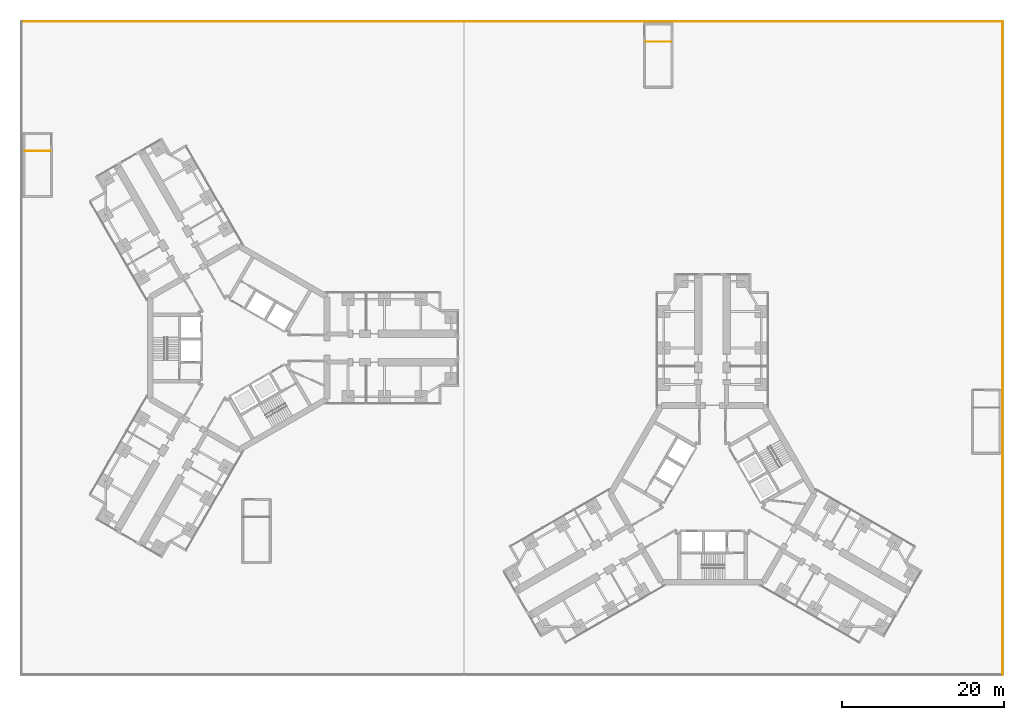
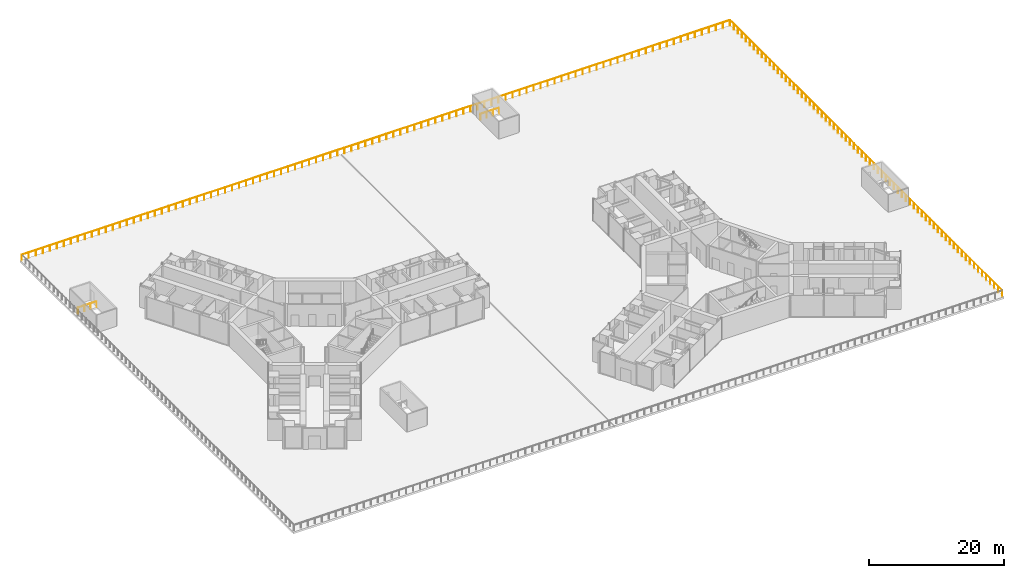
# One storey, part 22 of 23: 4 railings.
"""IFC4 building model written with IfcOpenShell, lengths in metres."""

from ifc_helpers import new_model, si_unit, direction, frame, origin, origin_2d, place, context, subcontext, project, spatial, circle, extrude, material, type_object, element, save


model = new_model("IFC4")

# Units and contexts
model_context = context("Model", 3, precision=1e-05, world=origin(), true_north=direction((0.0, 1.0)))
body_context = subcontext(model_context, "Body", "Model", "MODEL_VIEW")
ifc_project = project(units=[si_unit("LENGTHUNIT", "METRE"), si_unit("AREAUNIT", "SQUARE_METRE"), si_unit("VOLUMEUNIT", "CUBIC_METRE"), si_unit("PLANEANGLEUNIT", "RADIAN"), si_unit("MASSUNIT", "GRAM", prefix="KILO")], contexts=[model_context])

# Site, building, storey
site_placement = place(None, origin())
site = spatial("IfcSite", under=ifc_project, at=site_placement, CompositionType="ELEMENT")
building_placement = place(site_placement, origin())
building = spatial("IfcBuilding", under=site, at=building_placement, Name="Upepo Twin Towers", CompositionType="ELEMENT")
storey_placement = place(building_placement, frame((0.0, 0.0, 20.5)))
storey = spatial("IfcBuildingStorey", under=building, at=storey_placement, Name="L04", CompositionType="ELEMENT", Elevation=20.5)

# Railings
ifc_material_1 = material(Name="Stainless steel and glass", Category="steel")
railing_type_1 = type_object("IfcRailingType", Name="Guard 1100", PredefinedType="GUARDRAIL", material=ifc_material_1)
for number, where, name in (
    (1, (-26.39990234375, 24.320068359375, 0.0), "PS1 head-house well guard"),
    (2, (50.199951171875, 37.820068359375, 0.0), "PS4 head-house well guard"),
):
    element("IfcRailing", number, at=place(storey_placement, frame(where)), inside=storey, type_object=railing_type_1, Name=name, PredefinedType="GUARDRAIL", context=body_context, shape_type="SweptSolid", body=[
        extrude(circle(Radius=0.02392578125, at=origin_2d()), frame((0.0, 0.0, 1.076171875), z_axis=(1.0, 0.0, 0.0), x_axis=(0.0, 1.0, 0.0)), (0.0, 0.0, 1.0), 3.199951171875),
        extrude(circle(Radius=0.02099609375, at=origin_2d()), origin(), (0.0, 0.0, 1.0), 1.052001953125),
        extrude(circle(Radius=0.02099609375, at=origin_2d()), frame((1.066650390625, 0.0, 0.0)), (0.0, 0.0, 1.0), 1.052001953125),
        extrude(circle(Radius=0.02099609375, at=origin_2d()), frame((2.13330078125, 0.0, 0.0)), (0.0, 0.0, 1.0), 1.052001953125),
        extrude(circle(Radius=0.02099609375, at=origin_2d()), frame((3.199951171875, 0.0, 0.0)), (0.0, 0.0, 1.0), 1.052001953125),
    ])
ifc_material_2 = material(Name="Stainless steel and laminated glass", Category="steel")
railing_type_2 = type_object("IfcRailingType", Name="Terrace guard 1100 glass", PredefinedType="GUARDRAIL", material=ifc_material_2)
railing_1_placement = place(storey_placement, frame((94.300048828125, -40.300048828125, 0.0)))
element("IfcRailing", 3, at=railing_1_placement, inside=storey, type_object=railing_type_2, Name="Podium roof guard E", PredefinedType="GUARDRAIL", context=body_context, shape_type="SweptSolid", body=[
    extrude(circle(Radius=0.02392578125, at=origin_2d()), frame((0.0, 0.0, 1.076171875), z_axis=(0.0, 1.0, 0.0), x_axis=(-1.0, 0.0, 0.0)), (0.0, 0.0, 1.0), 80.60009765625),
    extrude(circle(Radius=0.02099609375, at=origin_2d()), origin(), (0.0, 0.0, 1.0), 1.052001953125),
    extrude(circle(Radius=0.02099609375, at=origin_2d()), frame((0.0, 1.185302734375, 0.0)), (0.0, 0.0, 1.0), 1.052001953125),
    extrude(circle(Radius=0.02099609375, at=origin_2d()), frame((0.0, 2.37060546875, 0.0)), (0.0, 0.0, 1.0), 1.052001953125),
    extrude(circle(Radius=0.02099609375, at=origin_2d()), frame((0.0, 3.555908203125, 0.0)), (0.0, 0.0, 1.0), 1.052001953125),
    extrude(circle(Radius=0.02099609375, at=origin_2d()), frame((0.0, 4.7412109375, 0.0)), (0.0, 0.0, 1.0), 1.052001953125),
    extrude(circle(Radius=0.02099609375, at=origin_2d()), frame((0.0, 5.926513671875, 0.0)), (0.0, 0.0, 1.0), 1.052001953125),
    extrude(circle(Radius=0.02099609375, at=origin_2d()), frame((0.0, 7.11181640625, 0.0)), (0.0, 0.0, 1.0), 1.052001953125),
    extrude(circle(Radius=0.02099609375, at=origin_2d()), frame((0.0, 8.297119140625, 0.0)), (0.0, 0.0, 1.0), 1.052001953125),
    extrude(circle(Radius=0.02099609375, at=origin_2d()), frame((0.0, 9.482421875, 0.0)), (0.0, 0.0, 1.0), 1.052001953125),
    extrude(circle(Radius=0.02099609375, at=origin_2d()), frame((0.0, 10.667724609375, 0.0)), (0.0, 0.0, 1.0), 1.052001953125),
    extrude(circle(Radius=0.02099609375, at=origin_2d()), frame((0.0, 11.85302734375, 0.0)), (0.0, 0.0, 1.0), 1.052001953125),
    extrude(circle(Radius=0.02099609375, at=origin_2d()), frame((0.0, 13.038330078125, 0.0)), (0.0, 0.0, 1.0), 1.052001953125),
    extrude(circle(Radius=0.02099609375, at=origin_2d()), frame((0.0, 14.2236328125, 0.0)), (0.0, 0.0, 1.0), 1.052001953125),
    extrude(circle(Radius=0.02099609375, at=origin_2d()), frame((0.0, 15.408935546875, 0.0)), (0.0, 0.0, 1.0), 1.052001953125),
    extrude(circle(Radius=0.02099609375, at=origin_2d()), frame((0.0, 16.59423828125, 0.0)), (0.0, 0.0, 1.0), 1.052001953125),
    extrude(circle(Radius=0.02099609375, at=origin_2d()), frame((0.0, 17.779541015625, 0.0)), (0.0, 0.0, 1.0), 1.052001953125),
    extrude(circle(Radius=0.02099609375, at=origin_2d()), frame((0.0, 18.96484375, 0.0)), (0.0, 0.0, 1.0), 1.052001953125),
    extrude(circle(Radius=0.02099609375, at=origin_2d()), frame((0.0, 20.14990234375, 0.0)), (0.0, 0.0, 1.0), 1.052001953125),
    extrude(circle(Radius=0.02099609375, at=origin_2d()), frame((0.0, 21.335205078125, 0.0)), (0.0, 0.0, 1.0), 1.052001953125),
    extrude(circle(Radius=0.02099609375, at=origin_2d()), frame((0.0, 22.5205078125, 0.0)), (0.0, 0.0, 1.0), 1.052001953125),
    extrude(circle(Radius=0.02099609375, at=origin_2d()), frame((0.0, 23.705810546875, 0.0)), (0.0, 0.0, 1.0), 1.052001953125),
    extrude(circle(Radius=0.02099609375, at=origin_2d()), frame((0.0, 24.89111328125, 0.0)), (0.0, 0.0, 1.0), 1.052001953125),
    extrude(circle(Radius=0.02099609375, at=origin_2d()), frame((0.0, 26.076416015625, 0.0)), (0.0, 0.0, 1.0), 1.052001953125),
    extrude(circle(Radius=0.02099609375, at=origin_2d()), frame((0.0, 27.26171875, 0.0)), (0.0, 0.0, 1.0), 1.052001953125),
    extrude(circle(Radius=0.02099609375, at=origin_2d()), frame((0.0, 28.447021484375, 0.0)), (0.0, 0.0, 1.0), 1.052001953125),
    extrude(circle(Radius=0.02099609375, at=origin_2d()), frame((0.0, 29.63232421875, 0.0)), (0.0, 0.0, 1.0), 1.052001953125),
    extrude(circle(Radius=0.02099609375, at=origin_2d()), frame((0.0, 30.817626953125, 0.0)), (0.0, 0.0, 1.0), 1.052001953125),
    extrude(circle(Radius=0.02099609375, at=origin_2d()), frame((0.0, 32.0029296875, 0.0)), (0.0, 0.0, 1.0), 1.052001953125),
    extrude(circle(Radius=0.02099609375, at=origin_2d()), frame((0.0, 33.188232421875, 0.0)), (0.0, 0.0, 1.0), 1.052001953125),
    extrude(circle(Radius=0.02099609375, at=origin_2d()), frame((0.0, 34.37353515625, 0.0)), (0.0, 0.0, 1.0), 1.052001953125),
    extrude(circle(Radius=0.02099609375, at=origin_2d()), frame((0.0, 35.558837890625, 0.0)), (0.0, 0.0, 1.0), 1.052001953125),
    extrude(circle(Radius=0.02099609375, at=origin_2d()), frame((0.0, 36.744140625, 0.0)), (0.0, 0.0, 1.0), 1.052001953125),
    extrude(circle(Radius=0.02099609375, at=origin_2d()), frame((0.0, 37.929443359375, 0.0)), (0.0, 0.0, 1.0), 1.052001953125),
    extrude(circle(Radius=0.02099609375, at=origin_2d()), frame((0.0, 39.11474609375, 0.0)), (0.0, 0.0, 1.0), 1.052001953125),
    extrude(circle(Radius=0.02099609375, at=origin_2d()), frame((0.0, 40.300048828125, 0.0)), (0.0, 0.0, 1.0), 1.052001953125),
    extrude(circle(Radius=0.02099609375, at=origin_2d()), frame((0.0, 41.4853515625, 0.0)), (0.0, 0.0, 1.0), 1.052001953125),
    extrude(circle(Radius=0.02099609375, at=origin_2d()), frame((0.0, 42.670654296875, 0.0)), (0.0, 0.0, 1.0), 1.052001953125),
    extrude(circle(Radius=0.02099609375, at=origin_2d()), frame((0.0, 43.85595703125, 0.0)), (0.0, 0.0, 1.0), 1.052001953125),
    extrude(circle(Radius=0.02099609375, at=origin_2d()), frame((0.0, 45.041259765625, 0.0)), (0.0, 0.0, 1.0), 1.052001953125),
    extrude(circle(Radius=0.02099609375, at=origin_2d()), frame((0.0, 46.2265625, 0.0)), (0.0, 0.0, 1.0), 1.052001953125),
    extrude(circle(Radius=0.02099609375, at=origin_2d()), frame((0.0, 47.411865234375, 0.0)), (0.0, 0.0, 1.0), 1.052001953125),
    extrude(circle(Radius=0.02099609375, at=origin_2d()), frame((0.0, 48.59716796875, 0.0)), (0.0, 0.0, 1.0), 1.052001953125),
    extrude(circle(Radius=0.02099609375, at=origin_2d()), frame((0.0, 49.782470703125, 0.0)), (0.0, 0.0, 1.0), 1.052001953125),
    extrude(circle(Radius=0.02099609375, at=origin_2d()), frame((0.0, 50.9677734375, 0.0)), (0.0, 0.0, 1.0), 1.052001953125),
    extrude(circle(Radius=0.02099609375, at=origin_2d()), frame((0.0, 52.153076171875, 0.0)), (0.0, 0.0, 1.0), 1.052001953125),
    extrude(circle(Radius=0.02099609375, at=origin_2d()), frame((0.0, 53.33837890625, 0.0)), (0.0, 0.0, 1.0), 1.052001953125),
    extrude(circle(Radius=0.02099609375, at=origin_2d()), frame((0.0, 54.523681640625, 0.0)), (0.0, 0.0, 1.0), 1.052001953125),
    extrude(circle(Radius=0.02099609375, at=origin_2d()), frame((0.0, 55.708984375, 0.0)), (0.0, 0.0, 1.0), 1.052001953125),
    extrude(circle(Radius=0.02099609375, at=origin_2d()), frame((0.0, 56.894287109375, 0.0)), (0.0, 0.0, 1.0), 1.052001953125),
    extrude(circle(Radius=0.02099609375, at=origin_2d()), frame((0.0, 58.07958984375, 0.0)), (0.0, 0.0, 1.0), 1.052001953125),
    extrude(circle(Radius=0.02099609375, at=origin_2d()), frame((0.0, 59.264892578125, 0.0)), (0.0, 0.0, 1.0), 1.052001953125),
    extrude(circle(Radius=0.02099609375, at=origin_2d()), frame((0.0, 60.4501953125, 0.0)), (0.0, 0.0, 1.0), 1.052001953125),
    extrude(circle(Radius=0.02099609375, at=origin_2d()), frame((0.0, 61.63525390625, 0.0)), (0.0, 0.0, 1.0), 1.052001953125),
    extrude(circle(Radius=0.02099609375, at=origin_2d()), frame((0.0, 62.820556640625, 0.0)), (0.0, 0.0, 1.0), 1.052001953125),
    extrude(circle(Radius=0.02099609375, at=origin_2d()), frame((0.0, 64.005859375, 0.0)), (0.0, 0.0, 1.0), 1.052001953125),
    extrude(circle(Radius=0.02099609375, at=origin_2d()), frame((0.0, 65.191162109375, 0.0)), (0.0, 0.0, 1.0), 1.052001953125),
    extrude(circle(Radius=0.02099609375, at=origin_2d()), frame((0.0, 66.37646484375, 0.0)), (0.0, 0.0, 1.0), 1.052001953125),
    extrude(circle(Radius=0.02099609375, at=origin_2d()), frame((0.0, 67.561767578125, 0.0)), (0.0, 0.0, 1.0), 1.052001953125),
    extrude(circle(Radius=0.02099609375, at=origin_2d()), frame((0.0, 68.7470703125, 0.0)), (0.0, 0.0, 1.0), 1.052001953125),
    extrude(circle(Radius=0.02099609375, at=origin_2d()), frame((0.0, 69.932373046875, 0.0)), (0.0, 0.0, 1.0), 1.052001953125),
    extrude(circle(Radius=0.02099609375, at=origin_2d()), frame((0.0, 71.11767578125, 0.0)), (0.0, 0.0, 1.0), 1.052001953125),
    extrude(circle(Radius=0.02099609375, at=origin_2d()), frame((0.0, 72.302978515625, 0.0)), (0.0, 0.0, 1.0), 1.052001953125),
    extrude(circle(Radius=0.02099609375, at=origin_2d()), frame((0.0, 73.48828125, 0.0)), (0.0, 0.0, 1.0), 1.052001953125),
    extrude(circle(Radius=0.02099609375, at=origin_2d()), frame((0.0, 74.673583984375, 0.0)), (0.0, 0.0, 1.0), 1.052001953125),
    extrude(circle(Radius=0.02099609375, at=origin_2d()), frame((0.0, 75.85888671875, 0.0)), (0.0, 0.0, 1.0), 1.052001953125),
    extrude(circle(Radius=0.02099609375, at=origin_2d()), frame((0.0, 77.044189453125, 0.0)), (0.0, 0.0, 1.0), 1.052001953125),
    extrude(circle(Radius=0.02099609375, at=origin_2d()), frame((0.0, 78.2294921875, 0.0)), (0.0, 0.0, 1.0), 1.052001953125),
    extrude(circle(Radius=0.02099609375, at=origin_2d()), frame((0.0, 79.414794921875, 0.0)), (0.0, 0.0, 1.0), 1.052001953125),
    extrude(circle(Radius=0.02099609375, at=origin_2d()), frame((0.0, 80.60009765625, 0.0)), (0.0, 0.0, 1.0), 1.052001953125),
])
railing_2_placement = place(storey_placement, frame((94.300048828125, 40.300048828125, 0.0)))
element("IfcRailing", 4, at=railing_2_placement, inside=storey, type_object=railing_type_2, Name="Podium roof guard N", PredefinedType="GUARDRAIL", context=body_context, shape_type="SweptSolid", body=[
    extrude(circle(Radius=0.02392578125, at=origin_2d()), frame((0.0, 0.0, 1.076171875), z_axis=(-1.0, 0.0, 0.0), x_axis=(0.0, -1.0, 0.0)), (0.0, 0.0, 1.0), 121.10009765625),
    extrude(circle(Radius=0.02099609375, at=origin_2d()), origin(), (0.0, 0.0, 1.0), 1.052001953125),
    extrude(circle(Radius=0.02099609375, at=origin_2d()), frame((-1.198974609375, 0.0, 0.0)), (0.0, 0.0, 1.0), 1.052001953125),
    extrude(circle(Radius=0.02099609375, at=origin_2d()), frame((-2.39794921875, 0.0, 0.0)), (0.0, 0.0, 1.0), 1.052001953125),
    extrude(circle(Radius=0.02099609375, at=origin_2d()), frame((-3.596923828125, 0.0, 0.0)), (0.0, 0.0, 1.0), 1.052001953125),
    extrude(circle(Radius=0.02099609375, at=origin_2d()), frame((-4.796142578125, 0.0, 0.0)), (0.0, 0.0, 1.0), 1.052001953125),
    extrude(circle(Radius=0.02099609375, at=origin_2d()), frame((-5.9951171875, 0.0, 0.0)), (0.0, 0.0, 1.0), 1.052001953125),
    extrude(circle(Radius=0.02099609375, at=origin_2d()), frame((-7.194091796875, 0.0, 0.0)), (0.0, 0.0, 1.0), 1.052001953125),
    extrude(circle(Radius=0.02099609375, at=origin_2d()), frame((-8.39306640625, 0.0, 0.0)), (0.0, 0.0, 1.0), 1.052001953125),
    extrude(circle(Radius=0.02099609375, at=origin_2d()), frame((-9.592041015625, 0.0, 0.0)), (0.0, 0.0, 1.0), 1.052001953125),
    extrude(circle(Radius=0.02099609375, at=origin_2d()), frame((-10.791015625, 0.0, 0.0)), (0.0, 0.0, 1.0), 1.052001953125),
    extrude(circle(Radius=0.02099609375, at=origin_2d()), frame((-11.989990234375, 0.0, 0.0)), (0.0, 0.0, 1.0), 1.052001953125),
    extrude(circle(Radius=0.02099609375, at=origin_2d()), frame((-13.189208984375, 0.0, 0.0)), (0.0, 0.0, 1.0), 1.052001953125),
    extrude(circle(Radius=0.02099609375, at=origin_2d()), frame((-14.38818359375, 0.0, 0.0)), (0.0, 0.0, 1.0), 1.052001953125),
    extrude(circle(Radius=0.02099609375, at=origin_2d()), frame((-15.587158203125, 0.0, 0.0)), (0.0, 0.0, 1.0), 1.052001953125),
    extrude(circle(Radius=0.02099609375, at=origin_2d()), frame((-16.7861328125, 0.0, 0.0)), (0.0, 0.0, 1.0), 1.052001953125),
    extrude(circle(Radius=0.02099609375, at=origin_2d()), frame((-17.985107421875, 0.0, 0.0)), (0.0, 0.0, 1.0), 1.052001953125),
    extrude(circle(Radius=0.02099609375, at=origin_2d()), frame((-19.18408203125, 0.0, 0.0)), (0.0, 0.0, 1.0), 1.052001953125),
    extrude(circle(Radius=0.02099609375, at=origin_2d()), frame((-20.38330078125, 0.0, 0.0)), (0.0, 0.0, 1.0), 1.052001953125),
    extrude(circle(Radius=0.02099609375, at=origin_2d()), frame((-21.582275390625, 0.0, 0.0)), (0.0, 0.0, 1.0), 1.052001953125),
    extrude(circle(Radius=0.02099609375, at=origin_2d()), frame((-22.78125, 0.0, 0.0)), (0.0, 0.0, 1.0), 1.052001953125),
    extrude(circle(Radius=0.02099609375, at=origin_2d()), frame((-23.980224609375, 0.0, 0.0)), (0.0, 0.0, 1.0), 1.052001953125),
    extrude(circle(Radius=0.02099609375, at=origin_2d()), frame((-25.17919921875, 0.0, 0.0)), (0.0, 0.0, 1.0), 1.052001953125),
    extrude(circle(Radius=0.02099609375, at=origin_2d()), frame((-26.378173828125, 0.0, 0.0)), (0.0, 0.0, 1.0), 1.052001953125),
    extrude(circle(Radius=0.02099609375, at=origin_2d()), frame((-27.5771484375, 0.0, 0.0)), (0.0, 0.0, 1.0), 1.052001953125),
    extrude(circle(Radius=0.02099609375, at=origin_2d()), frame((-28.7763671875, 0.0, 0.0)), (0.0, 0.0, 1.0), 1.052001953125),
    extrude(circle(Radius=0.02099609375, at=origin_2d()), frame((-29.975341796875, 0.0, 0.0)), (0.0, 0.0, 1.0), 1.052001953125),
    extrude(circle(Radius=0.02099609375, at=origin_2d()), frame((-31.17431640625, 0.0, 0.0)), (0.0, 0.0, 1.0), 1.052001953125),
    extrude(circle(Radius=0.02099609375, at=origin_2d()), frame((-32.373291015625, 0.0, 0.0)), (0.0, 0.0, 1.0), 1.052001953125),
    extrude(circle(Radius=0.02099609375, at=origin_2d()), frame((-33.572265625, 0.0, 0.0)), (0.0, 0.0, 1.0), 1.052001953125),
    extrude(circle(Radius=0.02099609375, at=origin_2d()), frame((-34.771240234375, 0.0, 0.0)), (0.0, 0.0, 1.0), 1.052001953125),
    extrude(circle(Radius=0.02099609375, at=origin_2d()), frame((-35.97021484375, 0.0, 0.0)), (0.0, 0.0, 1.0), 1.052001953125),
    extrude(circle(Radius=0.02099609375, at=origin_2d()), frame((-37.16943359375, 0.0, 0.0)), (0.0, 0.0, 1.0), 1.052001953125),
    extrude(circle(Radius=0.02099609375, at=origin_2d()), frame((-38.368408203125, 0.0, 0.0)), (0.0, 0.0, 1.0), 1.052001953125),
    extrude(circle(Radius=0.02099609375, at=origin_2d()), frame((-39.5673828125, 0.0, 0.0)), (0.0, 0.0, 1.0), 1.052001953125),
    extrude(circle(Radius=0.02099609375, at=origin_2d()), frame((-40.766357421875, 0.0, 0.0)), (0.0, 0.0, 1.0), 1.052001953125),
    extrude(circle(Radius=0.02099609375, at=origin_2d()), frame((-41.96533203125, 0.0, 0.0)), (0.0, 0.0, 1.0), 1.052001953125),
    extrude(circle(Radius=0.02099609375, at=origin_2d()), frame((-43.164306640625, 0.0, 0.0)), (0.0, 0.0, 1.0), 1.052001953125),
    extrude(circle(Radius=0.02099609375, at=origin_2d()), frame((-44.36328125, 0.0, 0.0)), (0.0, 0.0, 1.0), 1.052001953125),
    extrude(circle(Radius=0.02099609375, at=origin_2d()), frame((-45.5625, 0.0, 0.0)), (0.0, 0.0, 1.0), 1.052001953125),
    extrude(circle(Radius=0.02099609375, at=origin_2d()), frame((-46.761474609375, 0.0, 0.0)), (0.0, 0.0, 1.0), 1.052001953125),
    extrude(circle(Radius=0.02099609375, at=origin_2d()), frame((-47.96044921875, 0.0, 0.0)), (0.0, 0.0, 1.0), 1.052001953125),
    extrude(circle(Radius=0.02099609375, at=origin_2d()), frame((-49.159423828125, 0.0, 0.0)), (0.0, 0.0, 1.0), 1.052001953125),
    extrude(circle(Radius=0.02099609375, at=origin_2d()), frame((-50.3583984375, 0.0, 0.0)), (0.0, 0.0, 1.0), 1.052001953125),
    extrude(circle(Radius=0.02099609375, at=origin_2d()), frame((-51.557373046875, 0.0, 0.0)), (0.0, 0.0, 1.0), 1.052001953125),
    extrude(circle(Radius=0.02099609375, at=origin_2d()), frame((-52.756591796875, 0.0, 0.0)), (0.0, 0.0, 1.0), 1.052001953125),
    extrude(circle(Radius=0.02099609375, at=origin_2d()), frame((-53.95556640625, 0.0, 0.0)), (0.0, 0.0, 1.0), 1.052001953125),
    extrude(circle(Radius=0.02099609375, at=origin_2d()), frame((-55.154541015625, 0.0, 0.0)), (0.0, 0.0, 1.0), 1.052001953125),
    extrude(circle(Radius=0.02099609375, at=origin_2d()), frame((-56.353515625, 0.0, 0.0)), (0.0, 0.0, 1.0), 1.052001953125),
    extrude(circle(Radius=0.02099609375, at=origin_2d()), frame((-57.552490234375, 0.0, 0.0)), (0.0, 0.0, 1.0), 1.052001953125),
    extrude(circle(Radius=0.02099609375, at=origin_2d()), frame((-58.75146484375, 0.0, 0.0)), (0.0, 0.0, 1.0), 1.052001953125),
    extrude(circle(Radius=0.02099609375, at=origin_2d()), frame((-59.950439453125, 0.0, 0.0)), (0.0, 0.0, 1.0), 1.052001953125),
    extrude(circle(Radius=0.02099609375, at=origin_2d()), frame((-61.149658203125, 0.0, 0.0)), (0.0, 0.0, 1.0), 1.052001953125),
    extrude(circle(Radius=0.02099609375, at=origin_2d()), frame((-62.3486328125, 0.0, 0.0)), (0.0, 0.0, 1.0), 1.052001953125),
    extrude(circle(Radius=0.02099609375, at=origin_2d()), frame((-63.547607421875, 0.0, 0.0)), (0.0, 0.0, 1.0), 1.052001953125),
    extrude(circle(Radius=0.02099609375, at=origin_2d()), frame((-64.74658203125, 0.0, 0.0)), (0.0, 0.0, 1.0), 1.052001953125),
    extrude(circle(Radius=0.02099609375, at=origin_2d()), frame((-65.945556640625, 0.0, 0.0)), (0.0, 0.0, 1.0), 1.052001953125),
    extrude(circle(Radius=0.02099609375, at=origin_2d()), frame((-67.14453125, 0.0, 0.0)), (0.0, 0.0, 1.0), 1.052001953125),
    extrude(circle(Radius=0.02099609375, at=origin_2d()), frame((-68.343505859375, 0.0, 0.0)), (0.0, 0.0, 1.0), 1.052001953125),
    extrude(circle(Radius=0.02099609375, at=origin_2d()), frame((-69.542724609375, 0.0, 0.0)), (0.0, 0.0, 1.0), 1.052001953125),
    extrude(circle(Radius=0.02099609375, at=origin_2d()), frame((-70.74169921875, 0.0, 0.0)), (0.0, 0.0, 1.0), 1.052001953125),
    extrude(circle(Radius=0.02099609375, at=origin_2d()), frame((-71.940673828125, 0.0, 0.0)), (0.0, 0.0, 1.0), 1.052001953125),
    extrude(circle(Radius=0.02099609375, at=origin_2d()), frame((-73.1396484375, 0.0, 0.0)), (0.0, 0.0, 1.0), 1.052001953125),
    extrude(circle(Radius=0.02099609375, at=origin_2d()), frame((-74.338623046875, 0.0, 0.0)), (0.0, 0.0, 1.0), 1.052001953125),
    extrude(circle(Radius=0.02099609375, at=origin_2d()), frame((-75.53759765625, 0.0, 0.0)), (0.0, 0.0, 1.0), 1.052001953125),
    extrude(circle(Radius=0.02099609375, at=origin_2d()), frame((-76.73681640625, 0.0, 0.0)), (0.0, 0.0, 1.0), 1.052001953125),
    extrude(circle(Radius=0.02099609375, at=origin_2d()), frame((-77.935791015625, 0.0, 0.0)), (0.0, 0.0, 1.0), 1.052001953125),
    extrude(circle(Radius=0.02099609375, at=origin_2d()), frame((-79.134765625, 0.0, 0.0)), (0.0, 0.0, 1.0), 1.052001953125),
    extrude(circle(Radius=0.02099609375, at=origin_2d()), frame((-80.333740234375, 0.0, 0.0)), (0.0, 0.0, 1.0), 1.052001953125),
    extrude(circle(Radius=0.02099609375, at=origin_2d()), frame((-81.53271484375, 0.0, 0.0)), (0.0, 0.0, 1.0), 1.052001953125),
    extrude(circle(Radius=0.02099609375, at=origin_2d()), frame((-82.731689453125, 0.0, 0.0)), (0.0, 0.0, 1.0), 1.052001953125),
    extrude(circle(Radius=0.02099609375, at=origin_2d()), frame((-83.9306640625, 0.0, 0.0)), (0.0, 0.0, 1.0), 1.052001953125),
    extrude(circle(Radius=0.02099609375, at=origin_2d()), frame((-85.1298828125, 0.0, 0.0)), (0.0, 0.0, 1.0), 1.052001953125),
    extrude(circle(Radius=0.02099609375, at=origin_2d()), frame((-86.328857421875, 0.0, 0.0)), (0.0, 0.0, 1.0), 1.052001953125),
    extrude(circle(Radius=0.02099609375, at=origin_2d()), frame((-87.52783203125, 0.0, 0.0)), (0.0, 0.0, 1.0), 1.052001953125),
    extrude(circle(Radius=0.02099609375, at=origin_2d()), frame((-88.726806640625, 0.0, 0.0)), (0.0, 0.0, 1.0), 1.052001953125),
    extrude(circle(Radius=0.02099609375, at=origin_2d()), frame((-89.92578125, 0.0, 0.0)), (0.0, 0.0, 1.0), 1.052001953125),
    extrude(circle(Radius=0.02099609375, at=origin_2d()), frame((-91.124755859375, 0.0, 0.0)), (0.0, 0.0, 1.0), 1.052001953125),
    extrude(circle(Radius=0.02099609375, at=origin_2d()), frame((-92.32373046875, 0.0, 0.0)), (0.0, 0.0, 1.0), 1.052001953125),
    extrude(circle(Radius=0.02099609375, at=origin_2d()), frame((-93.52294921875, 0.0, 0.0)), (0.0, 0.0, 1.0), 1.052001953125),
    extrude(circle(Radius=0.02099609375, at=origin_2d()), frame((-94.721923828125, 0.0, 0.0)), (0.0, 0.0, 1.0), 1.052001953125),
    extrude(circle(Radius=0.02099609375, at=origin_2d()), frame((-95.9208984375, 0.0, 0.0)), (0.0, 0.0, 1.0), 1.052001953125),
    extrude(circle(Radius=0.02099609375, at=origin_2d()), frame((-97.119873046875, 0.0, 0.0)), (0.0, 0.0, 1.0), 1.052001953125),
    extrude(circle(Radius=0.02099609375, at=origin_2d()), frame((-98.31884765625, 0.0, 0.0)), (0.0, 0.0, 1.0), 1.052001953125),
    extrude(circle(Radius=0.02099609375, at=origin_2d()), frame((-99.517822265625, 0.0, 0.0)), (0.0, 0.0, 1.0), 1.052001953125),
    extrude(circle(Radius=0.02099609375, at=origin_2d()), frame((-100.716796875, 0.0, 0.0)), (0.0, 0.0, 1.0), 1.052001953125),
    extrude(circle(Radius=0.02099609375, at=origin_2d()), frame((-101.916015625, 0.0, 0.0)), (0.0, 0.0, 1.0), 1.052001953125),
    extrude(circle(Radius=0.02099609375, at=origin_2d()), frame((-103.114990234375, 0.0, 0.0)), (0.0, 0.0, 1.0), 1.052001953125),
    extrude(circle(Radius=0.02099609375, at=origin_2d()), frame((-104.31396484375, 0.0, 0.0)), (0.0, 0.0, 1.0), 1.052001953125),
    extrude(circle(Radius=0.02099609375, at=origin_2d()), frame((-105.512939453125, 0.0, 0.0)), (0.0, 0.0, 1.0), 1.052001953125),
    extrude(circle(Radius=0.02099609375, at=origin_2d()), frame((-106.7119140625, 0.0, 0.0)), (0.0, 0.0, 1.0), 1.052001953125),
    extrude(circle(Radius=0.02099609375, at=origin_2d()), frame((-107.910888671875, 0.0, 0.0)), (0.0, 0.0, 1.0), 1.052001953125),
    extrude(circle(Radius=0.02099609375, at=origin_2d()), frame((-109.110107421875, 0.0, 0.0)), (0.0, 0.0, 1.0), 1.052001953125),
    extrude(circle(Radius=0.02099609375, at=origin_2d()), frame((-110.30908203125, 0.0, 0.0)), (0.0, 0.0, 1.0), 1.052001953125),
    extrude(circle(Radius=0.02099609375, at=origin_2d()), frame((-111.508056640625, 0.0, 0.0)), (0.0, 0.0, 1.0), 1.052001953125),
    extrude(circle(Radius=0.02099609375, at=origin_2d()), frame((-112.70703125, 0.0, 0.0)), (0.0, 0.0, 1.0), 1.052001953125),
    extrude(circle(Radius=0.02099609375, at=origin_2d()), frame((-113.906005859375, 0.0, 0.0)), (0.0, 0.0, 1.0), 1.052001953125),
    extrude(circle(Radius=0.02099609375, at=origin_2d()), frame((-115.10498046875, 0.0, 0.0)), (0.0, 0.0, 1.0), 1.052001953125),
    extrude(circle(Radius=0.02099609375, at=origin_2d()), frame((-116.303955078125, 0.0, 0.0)), (0.0, 0.0, 1.0), 1.052001953125),
    extrude(circle(Radius=0.02099609375, at=origin_2d()), frame((-117.503173828125, 0.0, 0.0)), (0.0, 0.0, 1.0), 1.052001953125),
    extrude(circle(Radius=0.02099609375, at=origin_2d()), frame((-118.7021484375, 0.0, 0.0)), (0.0, 0.0, 1.0), 1.052001953125),
    extrude(circle(Radius=0.02099609375, at=origin_2d()), frame((-119.901123046875, 0.0, 0.0)), (0.0, 0.0, 1.0), 1.052001953125),
    extrude(circle(Radius=0.02099609375, at=origin_2d()), frame((-121.10009765625, 0.0, 0.0)), (0.0, 0.0, 1.0), 1.052001953125),
])

save(model, "model.ifc")
